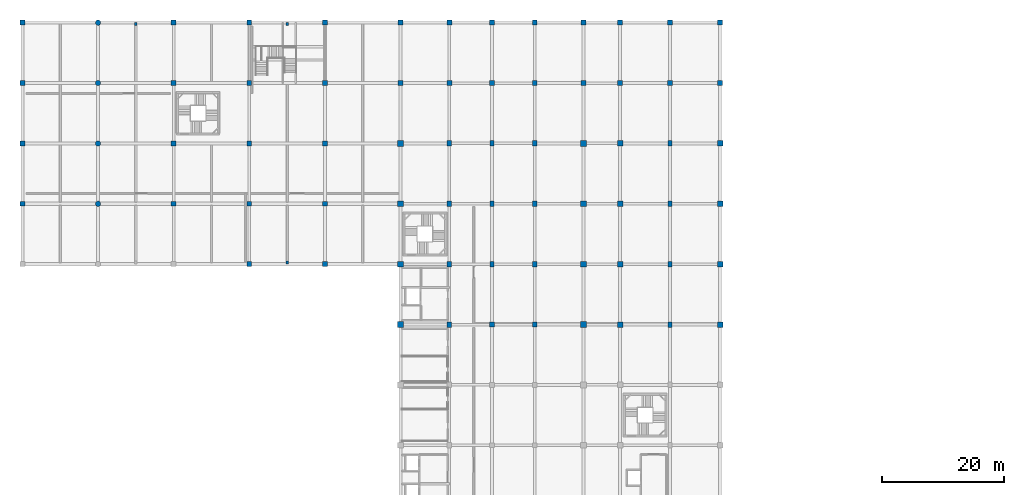
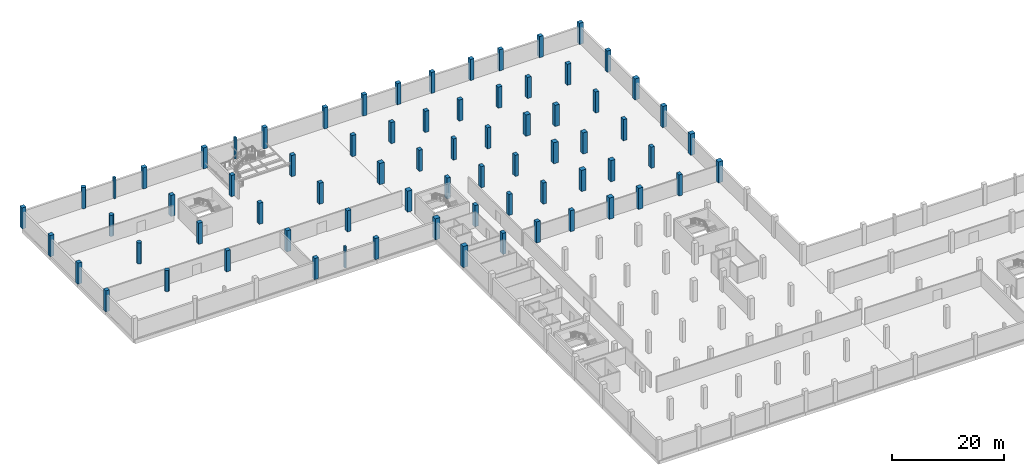
# One storey, part 2 of 32: 73 columns.
"""IFC4 building model written with IfcOpenShell, lengths in metres."""

from ifc_helpers import new_model, si_unit, direction, frame, origin, origin_2d, place, context, subcontext, project, spatial, rectangle, circle, extrude, material, material_profile, profile_set, type_object, element, save


model = new_model("IFC4")

# Units and contexts
model_context = context("Model", 3, precision=1e-05, world=origin(), true_north=direction((0.0, 1.0)))
body_context = subcontext(model_context, "Body", "Model", "MODEL_VIEW")
ifc_project = project(units=[si_unit("LENGTHUNIT", "METRE"), si_unit("AREAUNIT", "SQUARE_METRE"), si_unit("VOLUMEUNIT", "CUBIC_METRE"), si_unit("PLANEANGLEUNIT", "RADIAN"), si_unit("MASSUNIT", "GRAM", prefix="KILO")], contexts=[model_context])

# Site, building, storey
site_placement = place(None, origin())
site = spatial("IfcSite", under=ifc_project, at=site_placement, CompositionType="ELEMENT")
building_placement = place(site_placement, origin())
building = spatial("IfcBuilding", under=site, at=building_placement, Name="Sillaruma Civic Art Gallery", CompositionType="ELEMENT")
storey_placement = place(building_placement, frame((0.0, 0.0, -4.590087890625)))
storey = spatial("IfcBuildingStorey", under=building, at=storey_placement, Name="B01", CompositionType="ELEMENT", Elevation=-4.590087890625)

# Columns
ifc_material = material(Name="Concrete H40 (40 MPa)", Category="concrete")
ifc_material_profile_1 = material_profile(ifc_material, rectangle(XDim=0.800048828125, YDim=0.800048828125, at=origin_2d()), Name="RC800x800")
ifc_profile_set_1 = profile_set([ifc_material_profile_1], Name="Concrete H40 (40 MPa)")
column_type_1 = type_object("IfcColumnType", Name="COL-COLUMN-RC800x800", PredefinedType="COLUMN", material=ifc_profile_set_1)
for number, where, z_axis, x_axis, name in (
    (1, (0.0, 89.10009765625, 0.0), (0.0, 0.0, 1.0), (1.0, 0.0, 0.0), "Column C-04 (B01:A10)"),
    (2, (0.0, 99.0, 0.0), (0.0, 0.0, 1.0), (1.0, 0.0, 0.0), "Column C-04 (B01:A11)"),
    (3, (0.0, 108.89990234375, 0.0), (0.0, 0.0, 1.0), (1.0, 0.0, 0.0), "Column C-04 (B01:A12)"),
    (4, (0.0, 118.800048828125, 0.0), (0.0, 0.0, 1.0), (1.0, 0.0, 0.0), "Column C-04 (B01:A13)"),
    (5, (24.800048828125, 89.10009765625, 0.0), (0.0, 0.0, 1.0), (1.0, 0.0, 0.0), "Column C-04 (B01:C10)"),
    (6, (24.800048828125, 99.0, 0.0), (0.0, 0.0, 1.0), (1.0, 0.0, 0.0), "Column C-04 (B01:C11)"),
    (7, (24.800048828125, 108.89990234375, 0.0), (0.0, 0.0, 1.0), (1.0, 0.0, 0.0), "Column C-04 (B01:C12)"),
    (8, (24.800048828125, 118.800048828125, 0.0), (0.0, 0.0, 1.0), (1.0, 0.0, 0.0), "Column C-04 (B01:C13)"),
    (9, (37.199951171875, 79.199951171875, 0.0), (0.0, 0.0, 1.0), (1.0, 0.0, 0.0), "Column C-04 (B01:D9)"),
    (10, (37.199951171875, 89.10009765625, 0.0), (0.0, 0.0, 1.0), (1.0, 0.0, 0.0), "Column C-04 (B01:D10)"),
    (11, (37.199951171875, 99.0, 0.0), (0.0, 0.0, 1.0), (1.0, 0.0, 0.0), "Column C-04 (B01:D11)"),
    (12, (37.199951171875, 108.89990234375, 0.0), (0.0, 0.0, 1.0), (1.0, 0.0, 0.0), "Column C-04 (B01:D12)"),
    (13, (37.199951171875, 118.800048828125, 0.0), (0.0, 0.0, 1.0), (1.0, 0.0, 0.0), "Column C-04 (B01:D13)"),
    (14, (49.60009765625, 79.199951171875, 0.0), (0.0, 0.0, 1.0), (1.0, 0.0, 0.0), "Column C-04 (B01:E9)"),
    (15, (49.60009765625, 89.10009765625, 0.0), (0.0, 0.0, 1.0), (1.0, 0.0, 0.0), "Column C-04 (B01:E10)"),
    (16, (49.60009765625, 99.0, 0.0), (0.0, 0.0, 1.0), (1.0, 0.0, 0.0), "Column C-04 (B01:E11)"),
    (17, (49.60009765625, 108.89990234375, 0.0), (0.0, 0.0, 1.0), (1.0, 0.0, 0.0), "Column C-04 (B01:E12)"),
    (18, (49.60009765625, 118.800048828125, 0.0), (0.0, 0.0, 1.0), (1.0, 0.0, 0.0), "Column C-04 (B01:E13)"),
    (19, (62.0, 108.89990234375, 0.0), (0.0, 0.0, 1.0), (1.0, 0.0, 0.0), "Column C-04 (B01:F12)"),
    (20, (62.0, 118.800048828125, 0.0), (0.0, 0.0, 1.0), (1.0, 0.0, 0.0), "Column C-04 (B01:F13)"),
    (21, (70.0, 108.89990234375, 0.0), (0.0, 0.0, 1.0), (1.0, 0.0, 0.0), "Column C-04 (B01:G12)"),
    (22, (70.0, 118.800048828125, 0.0), (0.0, 0.0, 1.0), (1.0, 0.0, 0.0), "Column C-04 (B01:G13)"),
    (23, (77.0, 69.300048828125, 0.0), (0.0, 0.0, 1.0), (1.0, 0.0, 0.0), "Column C-04 (B01:H8)"),
    (24, (77.0, 108.89990234375, 0.0), (0.0, 0.0, 1.0), (1.0, 0.0, 0.0), "Column C-04 (B01:H12)"),
    (25, (77.0, 118.800048828125, 0.0), (0.0, 0.0, 1.0), (1.0, 0.0, 0.0), "Column C-04 (B01:H13)"),
    (26, (84.0, 69.300048828125, 0.0), (0.0, 0.0, 1.0), (1.0, 0.0, 0.0), "Column C-04 (B01:J8)"),
    (27, (84.0, 108.89990234375, 0.0), (0.0, 0.0, 1.0), (1.0, 0.0, 0.0), "Column C-04 (B01:J12)"),
    (28, (84.0, 118.800048828125, 0.0), (0.0, 0.0, 1.0), (1.0, 0.0, 0.0), "Column C-04 (B01:J13)"),
    (29, (92.0, 108.89990234375, 0.0), (0.0, 0.0, 1.0), (1.0, 0.0, 0.0), "Column C-04 (B01:K12)"),
    (30, (92.0, 118.800048828125, 0.0), (0.0, 0.0, 1.0), (1.0, 0.0, 0.0), "Column C-04 (B01:K13)"),
    (31, (98.0, 108.89990234375, 0.0), (0.0, 0.0, 1.0), (1.0, 0.0, 0.0), "Column C-04 (B01:L12)"),
    (32, (98.0, 118.800048828125, 0.0), (0.0, 0.0, 1.0), (1.0, 0.0, 0.0), "Column C-04 (B01:L13)"),
    (33, (106.199951171875, 108.89990234375, 0.0), (0.0, 0.0, 1.0), (1.0, 0.0, 0.0), "Column C-04 (B01:M12)"),
    (34, (106.199951171875, 118.800048828125, 0.0), (0.0, 0.0, 1.0), (1.0, 0.0, 0.0), "Column C-04 (B01:M13)"),
    (35, (114.39990234375, 108.89990234375, 0.0), (0.0, 0.0, 1.0), (1.0, 0.0, 0.0), "Column C-04 (B01:N12)"),
    (36, (114.39990234375, 118.800048828125, 0.0), (0.0, 0.0, 1.0), (1.0, 0.0, 0.0), "Column C-04 (B01:N13)"),
):
    element("IfcColumn", number, at=place(storey_placement, frame(where, z_axis=z_axis, x_axis=x_axis)), inside=storey, type_object=column_type_1, Name=name, PredefinedType="COLUMN", context=body_context, shape_type="SweptSolid", body=[
        extrude(rectangle(XDim=0.800048828125, YDim=0.800048828125, at=origin_2d()), origin(), (0.0, 0.0, 1.0), 4.590087890625),
    ])
ifc_material_profile_2 = material_profile(ifc_material, rectangle(XDim=0.699951171875, YDim=0.89990234375, at=origin_2d()), Name="RC900x700")
ifc_profile_set_2 = profile_set([ifc_material_profile_2], Name="Concrete H40 (40 MPa)")
column_type_2 = type_object("IfcColumnType", Name="COL-COLUMN-RC900x700", PredefinedType="COLUMN", material=ifc_profile_set_2)
for number, where, z_axis, x_axis, name in (
    (37, (70.0, 69.300048828125, 0.0), (0.0, 0.0, 1.0), (1.0, 0.0, 0.0), "Column C-09 (B01:G8)"),
    (38, (70.0, 79.199951171875, 0.0), (0.0, 0.0, 1.0), (1.0, 0.0, 0.0), "Column C-09 (B01:G9)"),
    (39, (70.0, 89.10009765625, 0.0), (0.0, 0.0, 1.0), (1.0, 0.0, 0.0), "Column C-09 (B01:G10)"),
    (40, (70.0, 99.0, 0.0), (0.0, 0.0, 1.0), (1.0, 0.0, 0.0), "Column C-09 (B01:G11)"),
    (41, (77.0, 79.199951171875, 0.0), (0.0, 0.0, 1.0), (1.0, 0.0, 0.0), "Column C-09 (B01:H9)"),
    (42, (77.0, 89.10009765625, 0.0), (0.0, 0.0, 1.0), (1.0, 0.0, 0.0), "Column C-09 (B01:H10)"),
    (43, (77.0, 99.0, 0.0), (0.0, 0.0, 1.0), (1.0, 0.0, 0.0), "Column C-09 (B01:H11)"),
    (44, (84.0, 79.199951171875, 0.0), (0.0, 0.0, 1.0), (1.0, 0.0, 0.0), "Column C-09 (B01:J9)"),
    (45, (84.0, 89.10009765625, 0.0), (0.0, 0.0, 1.0), (1.0, 0.0, 0.0), "Column C-09 (B01:J10)"),
    (46, (84.0, 99.0, 0.0), (0.0, 0.0, 1.0), (1.0, 0.0, 0.0), "Column C-09 (B01:J11)"),
    (47, (106.199951171875, 69.300048828125, 0.0), (0.0, 0.0, 1.0), (1.0, 0.0, 0.0), "Column C-09 (B01:M8)"),
    (48, (106.199951171875, 79.199951171875, 0.0), (0.0, 0.0, 1.0), (1.0, 0.0, 0.0), "Column C-09 (B01:M9)"),
    (49, (106.199951171875, 89.10009765625, 0.0), (0.0, 0.0, 1.0), (1.0, 0.0, 0.0), "Column C-09 (B01:M10)"),
    (50, (106.199951171875, 99.0, 0.0), (0.0, 0.0, 1.0), (1.0, 0.0, 0.0), "Column C-09 (B01:M11)"),
):
    element("IfcColumn", number, at=place(storey_placement, frame(where, z_axis=z_axis, x_axis=x_axis)), inside=storey, type_object=column_type_2, Name=name, PredefinedType="COLUMN", context=body_context, shape_type="SweptSolid", body=[
        extrude(rectangle(XDim=0.699951171875, YDim=0.89990234375, at=origin_2d()), origin(), (0.0, 0.0, 1.0), 4.590087890625),
    ])
ifc_material_profile_3 = material_profile(ifc_material, rectangle(XDim=0.89990234375, YDim=0.89990234375, at=origin_2d()), Name="RC900x900")
ifc_profile_set_3 = profile_set([ifc_material_profile_3], Name="Concrete H40 (40 MPa)")
column_type_3 = type_object("IfcColumnType", Name="COL-COLUMN-RC900x900", PredefinedType="COLUMN", material=ifc_profile_set_3)
for number, where, z_axis, x_axis, name in (
    (51, (98.0, 69.300048828125, 0.0), (0.0, 0.0, 1.0), (1.0, 0.0, 0.0), "Column C-02 (B01:L8)"),
    (52, (98.0, 79.199951171875, 0.0), (0.0, 0.0, 1.0), (1.0, 0.0, 0.0), "Column C-02 (B01:L9)"),
    (53, (98.0, 89.10009765625, 0.0), (0.0, 0.0, 1.0), (1.0, 0.0, 0.0), "Column C-02 (B01:L10)"),
    (54, (98.0, 99.0, 0.0), (0.0, 0.0, 1.0), (1.0, 0.0, 0.0), "Column C-02 (B01:L11)"),
    (55, (114.39990234375, 69.300048828125, 0.0), (0.0, 0.0, 1.0), (1.0, 0.0, 0.0), "Column C-02 (B01:N8)"),
    (56, (114.39990234375, 79.199951171875, 0.0), (0.0, 0.0, 1.0), (1.0, 0.0, 0.0), "Column C-02 (B01:N9)"),
    (57, (114.39990234375, 89.10009765625, 0.0), (0.0, 0.0, 1.0), (1.0, 0.0, 0.0), "Column C-02 (B01:N10)"),
    (58, (114.39990234375, 99.0, 0.0), (0.0, 0.0, 1.0), (1.0, 0.0, 0.0), "Column C-02 (B01:N11)"),
):
    element("IfcColumn", number, at=place(storey_placement, frame(where, z_axis=z_axis, x_axis=x_axis)), inside=storey, type_object=column_type_3, Name=name, PredefinedType="COLUMN", context=body_context, shape_type="SweptSolid", body=[
        extrude(rectangle(XDim=0.89990234375, YDim=0.89990234375, at=origin_2d()), origin(), (0.0, 0.0, 1.0), 4.590087890625),
    ])
ifc_material_profile_4 = material_profile(ifc_material, rectangle(XDim=0.949951171875, YDim=0.949951171875, at=origin_2d()), Name="RC950x950")
ifc_profile_set_4 = profile_set([ifc_material_profile_4], Name="Concrete H40 (40 MPa)")
column_type_4 = type_object("IfcColumnType", Name="COL-COLUMN-RC950x950", PredefinedType="COLUMN", material=ifc_profile_set_4)
for number, where, z_axis, x_axis, name in (
    (59, (62.0, 69.300048828125, 0.0), (0.0, 0.0, 1.0), (1.0, 0.0, 0.0), "Column C-01 (B01:F8)"),
    (60, (62.0, 79.199951171875, 0.0), (0.0, 0.0, 1.0), (1.0, 0.0, 0.0), "Column C-01 (B01:F9)"),
    (61, (62.0, 89.10009765625, 0.0), (0.0, 0.0, 1.0), (1.0, 0.0, 0.0), "Column C-01 (B01:F10)"),
    (62, (62.0, 99.0, 0.0), (0.0, 0.0, 1.0), (1.0, 0.0, 0.0), "Column C-01 (B01:F11)"),
    (63, (92.0, 69.300048828125, 0.0), (0.0, 0.0, 1.0), (1.0, 0.0, 0.0), "Column C-01 (B01:K8)"),
    (64, (92.0, 79.199951171875, 0.0), (0.0, 0.0, 1.0), (1.0, 0.0, 0.0), "Column C-01 (B01:K9)"),
    (65, (92.0, 89.10009765625, 0.0), (0.0, 0.0, 1.0), (1.0, 0.0, 0.0), "Column C-01 (B01:K10)"),
    (66, (92.0, 99.0, 0.0), (0.0, 0.0, 1.0), (1.0, 0.0, 0.0), "Column C-01 (B01:K11)"),
):
    element("IfcColumn", number, at=place(storey_placement, frame(where, z_axis=z_axis, x_axis=x_axis)), inside=storey, type_object=column_type_4, Name=name, PredefinedType="COLUMN", context=body_context, shape_type="SweptSolid", body=[
        extrude(rectangle(XDim=0.949951171875, YDim=0.949951171875, at=origin_2d()), origin(), (0.0, 0.0, 1.0), 4.590087890625),
    ])
ifc_material_profile_5 = material_profile(ifc_material, circle(Radius=0.43994140625, at=origin_2d()), Name="RCC880")
ifc_profile_set_5 = profile_set([ifc_material_profile_5], Name="Concrete H40 (40 MPa)")
column_type_5 = type_object("IfcColumnType", Name="COL-COLUMN-RCC880", PredefinedType="COLUMN", material=ifc_profile_set_5)
for number, where, z_axis, x_axis, name in (
    (67, (12.39990234375, 89.10009765625, 0.0), (0.0, 0.0, 1.0), (1.0, 0.0, 0.0), "Column CC-01 (B01:B10)"),
    (68, (12.39990234375, 99.0, 0.0), (0.0, 0.0, 1.0), (1.0, 0.0, 0.0), "Column CC-01 (B01:B11)"),
    (69, (12.39990234375, 108.89990234375, 0.0), (0.0, 0.0, 1.0), (1.0, 0.0, 0.0), "Column CC-01 (B01:B12)"),
    (70, (12.39990234375, 118.800048828125, 0.0), (0.0, 0.0, 1.0), (1.0, 0.0, 0.0), "Column CC-01 (B01:B13)"),
):
    element("IfcColumn", number, at=place(storey_placement, frame(where, z_axis=z_axis, x_axis=x_axis)), inside=storey, type_object=column_type_5, Name=name, PredefinedType="COLUMN", context=body_context, shape_type="SweptSolid", body=[
        extrude(circle(Radius=0.43994140625, at=origin_2d()), origin(), (0.0, 0.0, 1.0), 4.590087890625),
    ])
ifc_material_profile_6 = material_profile(ifc_material, rectangle(XDim=0.3798828125, YDim=0.5, at=origin_2d()), Name="RC500x380")
ifc_profile_set_6 = profile_set([ifc_material_profile_6], Name="Concrete H40 (40 MPa)")
column_type_6 = type_object("IfcColumnType", Name="COL-PILASTER-RC500x380", PredefinedType="PILASTER", material=ifc_profile_set_6)
for number, where, z_axis, x_axis, name in (
    (71, (43.39990234375, 79.449951171875, 0.0), (0.0, 0.0, 1.0), (1.0, 0.0, 0.0), "Pilaster CP-01 (B01:PIL-W2)"),
    (72, (18.60009765625, 118.550048828125, 0.0), (0.0, 0.0, 1.0), (1.0, 0.0, 0.0), "Pilaster CP-01 (B01:PIL-W3)"),
    (73, (43.39990234375, 118.550048828125, 0.0), (0.0, 0.0, 1.0), (1.0, 0.0, 0.0), "Pilaster CP-01 (B01:PIL-W4)"),
):
    element("IfcColumn", number, at=place(storey_placement, frame(where, z_axis=z_axis, x_axis=x_axis)), inside=storey, type_object=column_type_6, Name=name, PredefinedType="PILASTER", context=body_context, shape_type="SweptSolid", body=[
        extrude(rectangle(XDim=0.3798828125, YDim=0.5, at=origin_2d()), origin(), (0.0, 0.0, 1.0), 4.590087890625),
    ])

save(model, "model.ifc")
